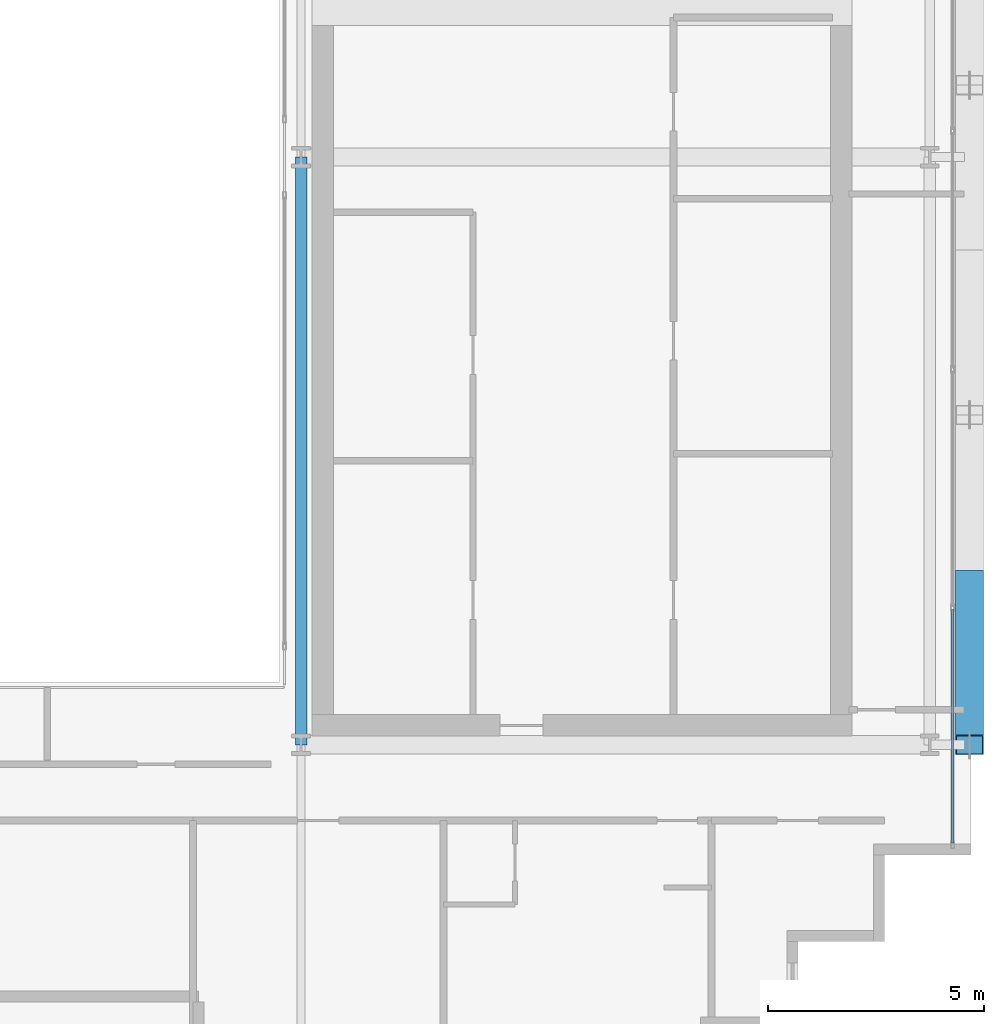
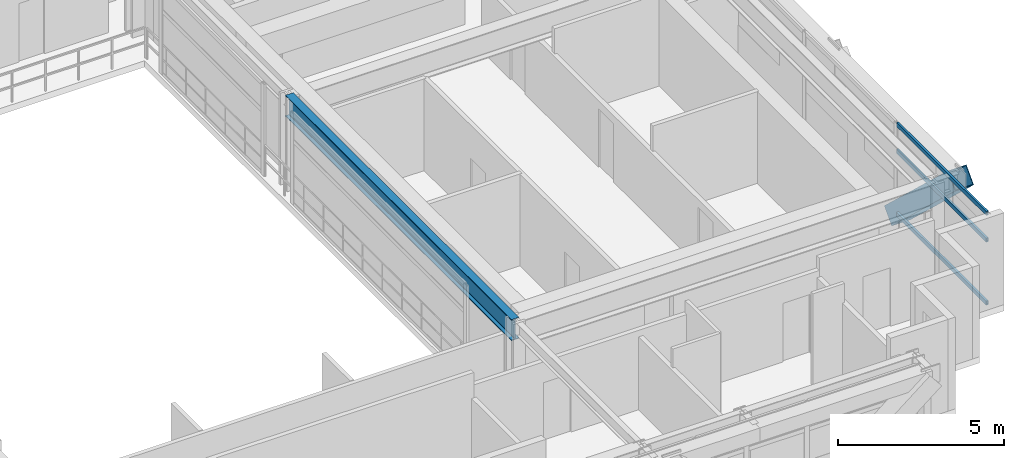
# One storey, part 14 of 37: 4 members, 1 beam, 1 element without a shape of its own.
"""IFC4 building model written with IfcOpenShell, lengths in metres."""

from ifc_helpers import new_model, si_unit, direction, frame, origin, origin_2d, place, context, subcontext, project, spatial, hollow_rectangle, i_section, extrude, source, transform, mapped, material, layer, layer_set, material_profile, profile_set, type_object, element, aggregate, save


model = new_model("IFC4")

# Units and contexts
model_context = context("Model", 3, precision=1e-05, world=origin(), true_north=direction((0.0, 1.0)))
body_context = subcontext(model_context, "Body", "Model", "MODEL_VIEW")
ifc_project = project(units=[si_unit("LENGTHUNIT", "METRE"), si_unit("AREAUNIT", "SQUARE_METRE"), si_unit("VOLUMEUNIT", "CUBIC_METRE"), si_unit("PLANEANGLEUNIT", "RADIAN"), si_unit("MASSUNIT", "GRAM", prefix="KILO")], contexts=[model_context])

# Site, building, storey
site_placement = place(None, origin())
site = spatial("IfcSite", under=ifc_project, at=site_placement, CompositionType="ELEMENT")
building_placement = place(site_placement, origin())
building = spatial("IfcBuilding", under=site, at=building_placement, Name="Ocotamira Hotel", CompositionType="ELEMENT")
storey_placement = place(building_placement, frame((0.0, 0.0, 192.0)))
storey = spatial("IfcBuildingStorey", under=building, at=storey_placement, Name="L48", CompositionType="ELEMENT", Elevation=192.0)

# Beam
ifc_material_1 = material(Name="Steel ASTM A992 Grade 50", Category="steel")
ifc_material_profile_1 = material_profile(ifc_material_1, i_section(OverallWidth=0.26611328125, OverallDepth=0.779052734375, WebThickness=0.0166015625, FlangeThickness=0.030029296875, FilletRadius=0.01806640625, at=origin_2d()), Name="W30X148")
ifc_profile_set_1 = profile_set([ifc_material_profile_1], Name="Steel ASTM A992 Grade 50")
beam_type = type_object("IfcBeamType", Name="BM-GIRD-W30X148", PredefinedType="BEAM", material=ifc_profile_set_1)
shared_shape_1 = source(origin(), body_context, "Body", "SweptSolid", [
    extrude(i_section(OverallWidth=0.26611328125, OverallDepth=0.779052734375, WebThickness=0.0166015625, FlangeThickness=0.030029296875, FilletRadius=0.01806640625, at=origin_2d()), origin(), (0.0, 0.0, 1.0), 13.599853515625),
])
beam_placement = place(storey_placement, frame((40.5, 14.550048828125, 2.98046875), z_axis=(0.0, 1.0, 0.0), x_axis=(-1.0, 0.0, 0.0)))
element("IfcBeam", 1, at=beam_placement, inside=storey, type_object=beam_type, Name="L48 Beam X40.5 Y14.55-28.15", PredefinedType="BEAM", context=body_context, shape_type="MappedRepresentation", body=[
    mapped(shared_shape_1, transform((0.0, 0.0, 0.0), scale=1.0)),
])

# Member
ifc_material_2 = material(Name="Pale-metal coated steel ASTM A913 Grade 65", Category="steel")
ifc_material_profile_2 = material_profile(ifc_material_2, hollow_rectangle(XDim=0.64990234375, YDim=0.64990234375, WallThickness=0.02197265625, at=origin_2d()), Name="BOX650X650X22")
ifc_profile_set_2 = profile_set([ifc_material_profile_2], Name="Pale-metal coated steel ASTM A913 Grade 65")
member_type_1 = type_object("IfcMemberType", Name="MEM-EXO-BOX650", PredefinedType="BRACE", material=ifc_profile_set_2)
shared_shape_2 = source(origin(), body_context, "Body", "SweptSolid", [
    extrude(hollow_rectangle(XDim=0.64990234375, YDim=0.64990234375, WallThickness=0.02197265625, at=origin_2d()), origin(), (0.0, 0.0, 1.0), 5.24658203125),
])
member_1_placement = place(storey_placement, frame((55.969970703125, 18.36669921875, -0.47998046875), z_axis=(0.0, -0.727442733726, 0.686168397078), x_axis=(1.0, 0.0, 0.0)))
element("IfcMember", 2, at=member_1_placement, inside=storey, type_object=member_type_1, Name="L48 Exoskeleton Diagrid E0.1", PredefinedType="BRACE", context=body_context, shape_type="MappedRepresentation", body=[
    mapped(shared_shape_2, transform((0.0, 0.0, 0.0), scale=1.0)),
])

# Curtain wall, members
ifc_material_3 = material(Name="Anodised pale-metal aluminium and solar glass", Category="aluminium")
ifc_layer = layer(ifc_material_3, 0.199951171875)
ifc_layer_set = layer_set([ifc_layer], Name="Anodised pale-metal aluminium and solar glass")
curtain_wall_type = type_object("IfcCurtainWallType", Name="CW-SYS4-Z3", PredefinedType="NOTDEFINED", material=ifc_layer_set)
curtain_wall_placement = place(storey_placement, origin())
curtain_wall = element("IfcCurtainWall", 3, at=curtain_wall_placement, inside=storey, type_object=curtain_wall_type, Name="L48 Curtain Wall CW-4 CW-L48-E", PredefinedType="NOTDEFINED")
ifc_material_4 = material(Name="Anodised pale-metal aluminium 6063-T6", Category="aluminium")
ifc_material_profile_3 = material_profile(ifc_material_4, hollow_rectangle(XDim=0.074951171875, YDim=0.14990234375, WallThickness=0.006103515625, at=origin_2d()), Name="HSS150X75X6")
ifc_profile_set_3 = profile_set([ifc_material_profile_3], Name="Anodised pale-metal aluminium 6063-T6")
member_type_2 = type_object("IfcMemberType", Name="CWT-150X75", PredefinedType="USERDEFINED", material=ifc_profile_set_3)
shared_shape_3 = source(origin(), body_context, "Body", "SweptSolid", [
    extrude(hollow_rectangle(XDim=0.074951171875, YDim=0.14990234375, WallThickness=0.006103515625, at=origin_2d()), origin(), (0.0, 0.0, 1.0), 5.39990234375),
])
member_2_placement = place(storey_placement, frame((55.580078125, 12.280029296875, 0.03759765625), z_axis=(0.0, 1.0, 0.0), x_axis=(-1.0, 0.0, 0.0)))
member_2 = element("IfcMember", 4, at=member_2_placement, type_object=member_type_2, Name="CW-4 transom 1.1", ObjectType="TRANSOM", PredefinedType="USERDEFINED", context=body_context, shape_type="MappedRepresentation", body=[
    mapped(shared_shape_3, transform((0.0, 0.0, 0.0), scale=1.0)),
])
member_3_placement = place(storey_placement, frame((55.580078125, 12.280029296875, 2.35009765625), z_axis=(0.0, 1.0, 0.0), x_axis=(-1.0, 0.0, 0.0)))
member_3 = element("IfcMember", 5, at=member_3_placement, type_object=member_type_2, Name="CW-4 transom 1.2", ObjectType="TRANSOM", PredefinedType="USERDEFINED", context=body_context, shape_type="MappedRepresentation", body=[
    mapped(shared_shape_3, transform((0.0, 0.0, 0.0), scale=1.0)),
])
member_4_placement = place(storey_placement, frame((55.580078125, 12.280029296875, 3.33251953125), z_axis=(0.0, 1.0, 0.0), x_axis=(-1.0, 0.0, 0.0)))
member_4 = element("IfcMember", 6, at=member_4_placement, type_object=member_type_2, Name="CW-4 transom 1.3", ObjectType="TRANSOM", PredefinedType="USERDEFINED", context=body_context, shape_type="MappedRepresentation", body=[
    mapped(shared_shape_3, transform((0.0, 0.0, 0.0), scale=1.0)),
])
aggregate(curtain_wall, [member_2, member_3, member_4])

save(model, "model.ifc")
